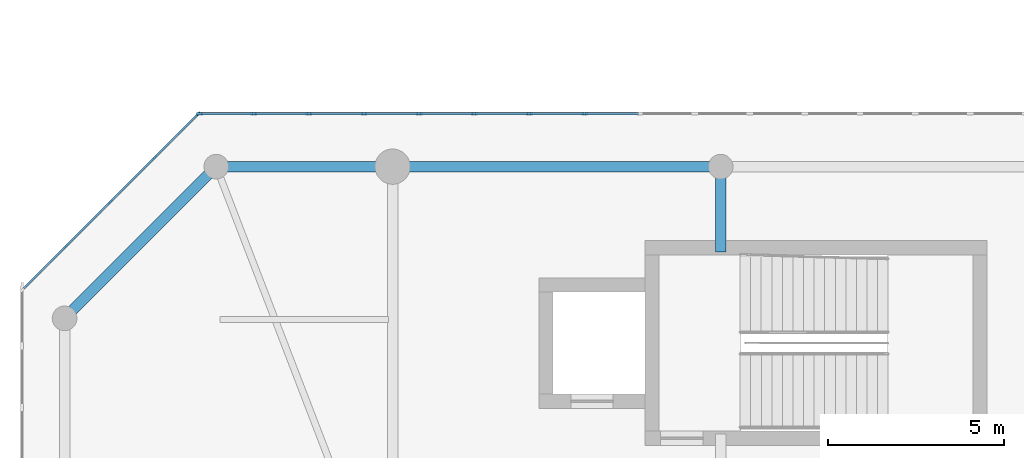
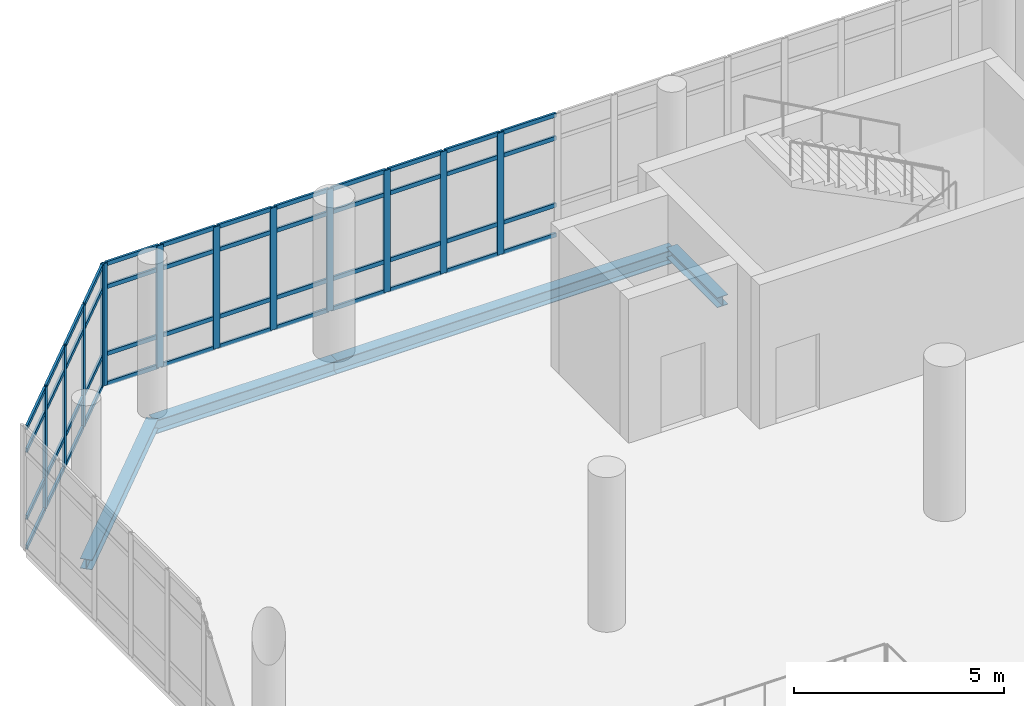
# One storey, part 52 of 125: 60 members, 4 beams, 2 elements without a shape of their own.
"""IFC4 building model written with IfcOpenShell, lengths in metres."""

from ifc_helpers import new_model, si_unit, direction, frame, origin, origin_2d, place, context, subcontext, project, spatial, rectangle, i_section, extrude, material, layer, layer_set, material_profile, profile_set, type_object, element, aggregate, save


model = new_model("IFC4")

# Units and contexts
model_context = context("Model", 3, precision=1e-05, world=origin(), true_north=direction((0.0, 1.0)))
body_context = subcontext(model_context, "Body", "Model", "MODEL_VIEW")
ifc_project = project(units=[si_unit("LENGTHUNIT", "METRE"), si_unit("AREAUNIT", "SQUARE_METRE"), si_unit("VOLUMEUNIT", "CUBIC_METRE"), si_unit("PLANEANGLEUNIT", "RADIAN"), si_unit("MASSUNIT", "GRAM", prefix="KILO")], contexts=[model_context])

# Site, building, storey
site_placement = place(None, origin())
site = spatial("IfcSite", under=ifc_project, at=site_placement, CompositionType="ELEMENT")
building_placement = place(site_placement, origin())
building = spatial("IfcBuilding", under=site, at=building_placement, Name="Sohan Crest Arena", CompositionType="ELEMENT")
storey_placement = place(building_placement, frame((0.0, 0.0, 9.0)))
storey = spatial("IfcBuildingStorey", under=building, at=storey_placement, Name="L02", CompositionType="ELEMENT", Elevation=9.0)

# Curtain wall, members
ifc_material_1 = material(Name="Thermally broken anodised aluminium", Category="aluminium")
ifc_layer = layer(ifc_material_1, 0.199951171875, Name="Thermally broken anodised aluminium")
ifc_layer_set = layer_set([ifc_layer], Name="Thermally broken anodised aluminium")
curtain_wall_type = type_object("IfcCurtainWallType", Name="ARC-CW02", PredefinedType="NOTDEFINED", material=ifc_layer_set)
curtain_wall_1_placement = place(storey_placement, origin())
curtain_wall_1 = element("IfcCurtainWall", 1, at=curtain_wall_1_placement, inside=storey, type_object=curtain_wall_type, Name="Unitised curtain wall CW-214", PredefinedType="NOTDEFINED")
ifc_material_profile_1 = material_profile(ifc_material_1, rectangle(XDim=0.06494140625, YDim=0.179931640625, at=origin_2d()), Name="ALU-MULL 65x180")
ifc_profile_set_1 = profile_set([ifc_material_profile_1], Name="Thermally broken anodised aluminium")
member_type_1 = type_object("IfcMemberType", Name="ARC-CW-ML02", PredefinedType="MULLION", material=ifc_profile_set_1)
member_1_placement = place(storey_placement, frame((29.9375, 106.0, 0.0), z_axis=(0.0, 0.0, 1.0), x_axis=(0.0, -1.0, 0.0)))
member_1 = element("IfcMember", 2, at=member_1_placement, type_object=member_type_1, Name="CW-214 mullion 10", PredefinedType="MULLION", context=body_context, shape_type="SweptSolid", body=[
    extrude(rectangle(XDim=0.06494140625, YDim=0.179931640625, at=origin_2d()), origin(), (0.0, 0.0, 1.0), 3.550048828125),
])
member_2_placement = place(storey_placement, frame((28.375, 106.0, 0.0), z_axis=(0.0, 0.0, 1.0), x_axis=(0.0, -1.0, 0.0)))
member_2 = element("IfcMember", 3, at=member_2_placement, type_object=member_type_1, Name="CW-214 mullion 11", PredefinedType="MULLION", context=body_context, shape_type="SweptSolid", body=[
    extrude(rectangle(XDim=0.06494140625, YDim=0.179931640625, at=origin_2d()), origin(), (0.0, 0.0, 1.0), 3.550048828125),
])
member_3_placement = place(storey_placement, frame((26.8125, 106.0, 0.0), z_axis=(0.0, 0.0, 1.0), x_axis=(0.0, -1.0, 0.0)))
member_3 = element("IfcMember", 4, at=member_3_placement, type_object=member_type_1, Name="CW-214 mullion 12", PredefinedType="MULLION", context=body_context, shape_type="SweptSolid", body=[
    extrude(rectangle(XDim=0.06494140625, YDim=0.179931640625, at=origin_2d()), origin(), (0.0, 0.0, 1.0), 3.550048828125),
])
member_4_placement = place(storey_placement, frame((25.25, 106.0, 0.0), z_axis=(0.0, 0.0, 1.0), x_axis=(0.0, -1.0, 0.0)))
member_4 = element("IfcMember", 5, at=member_4_placement, type_object=member_type_1, Name="CW-214 mullion 13", PredefinedType="MULLION", context=body_context, shape_type="SweptSolid", body=[
    extrude(rectangle(XDim=0.06494140625, YDim=0.179931640625, at=origin_2d()), origin(), (0.0, 0.0, 1.0), 3.550048828125),
])
member_5_placement = place(storey_placement, frame((23.6875, 106.0, 0.0), z_axis=(0.0, 0.0, 1.0), x_axis=(0.0, -1.0, 0.0)))
member_5 = element("IfcMember", 6, at=member_5_placement, type_object=member_type_1, Name="CW-214 mullion 14", PredefinedType="MULLION", context=body_context, shape_type="SweptSolid", body=[
    extrude(rectangle(XDim=0.06494140625, YDim=0.179931640625, at=origin_2d()), origin(), (0.0, 0.0, 1.0), 3.550048828125),
])
member_6_placement = place(storey_placement, frame((22.125, 106.0, 0.0), z_axis=(0.0, 0.0, 1.0), x_axis=(0.0, -1.0, 0.0)))
member_6 = element("IfcMember", 7, at=member_6_placement, type_object=member_type_1, Name="CW-214 mullion 15", PredefinedType="MULLION", context=body_context, shape_type="SweptSolid", body=[
    extrude(rectangle(XDim=0.06494140625, YDim=0.179931640625, at=origin_2d()), origin(), (0.0, 0.0, 1.0), 3.550048828125),
])
member_7_placement = place(storey_placement, frame((20.5625, 106.0, 0.0), z_axis=(0.0, 0.0, 1.0), x_axis=(0.0, -1.0, 0.0)))
member_7 = element("IfcMember", 8, at=member_7_placement, type_object=member_type_1, Name="CW-214 mullion 16", PredefinedType="MULLION", context=body_context, shape_type="SweptSolid", body=[
    extrude(rectangle(XDim=0.06494140625, YDim=0.179931640625, at=origin_2d()), origin(), (0.0, 0.0, 1.0), 3.550048828125),
])
member_8_placement = place(storey_placement, frame((19.032470703125, 106.0, 0.0), z_axis=(0.0, 0.0, 1.0), x_axis=(0.0, -1.0, 0.0)))
member_8 = element("IfcMember", 9, at=member_8_placement, type_object=member_type_1, Name="CW-214 mullion 17", PredefinedType="MULLION", context=body_context, shape_type="SweptSolid", body=[
    extrude(rectangle(XDim=0.06494140625, YDim=0.179931640625, at=origin_2d()), origin(), (0.0, 0.0, 1.0), 3.550048828125),
])

curtain_wall_2_placement = place(storey_placement, origin())
curtain_wall_2 = element("IfcCurtainWall", 10, at=curtain_wall_2_placement, inside=storey, type_object=curtain_wall_type, Name="Unitised curtain wall CW-215", PredefinedType="NOTDEFINED")
member_9_placement = place(storey_placement, frame((18.97705078125, 105.97705078125, 0.0), z_axis=(0.0, 0.0, 1.0), x_axis=(0.707106781187, -0.707106781187, 0.0)))
member_9 = element("IfcMember", 11, at=member_9_placement, type_object=member_type_1, Name="CW-215 mullion 1", PredefinedType="MULLION", context=body_context, shape_type="SweptSolid", body=[
    extrude(rectangle(XDim=0.06494140625, YDim=0.179931640625, at=origin_2d()), origin(), (0.0, 0.0, 1.0), 3.550048828125),
])
member_10_placement = place(storey_placement, frame((17.75, 104.75, 0.0), z_axis=(0.0, 0.0, 1.0), x_axis=(0.707106781187, -0.707106781187, 0.0)))
member_10 = element("IfcMember", 12, at=member_10_placement, type_object=member_type_1, Name="CW-215 mullion 2", PredefinedType="MULLION", context=body_context, shape_type="SweptSolid", body=[
    extrude(rectangle(XDim=0.06494140625, YDim=0.179931640625, at=origin_2d()), origin(), (0.0, 0.0, 1.0), 3.550048828125),
])
member_11_placement = place(storey_placement, frame((16.5, 103.5, 0.0), z_axis=(0.0, 0.0, 1.0), x_axis=(0.707106781187, -0.707106781187, 0.0)))
member_11 = element("IfcMember", 13, at=member_11_placement, type_object=member_type_1, Name="CW-215 mullion 3", PredefinedType="MULLION", context=body_context, shape_type="SweptSolid", body=[
    extrude(rectangle(XDim=0.06494140625, YDim=0.179931640625, at=origin_2d()), origin(), (0.0, 0.0, 1.0), 3.550048828125),
])
member_12_placement = place(storey_placement, frame((15.25, 102.25, 0.0), z_axis=(0.0, 0.0, 1.0), x_axis=(0.707106781187, -0.707106781187, 0.0)))
member_12 = element("IfcMember", 14, at=member_12_placement, type_object=member_type_1, Name="CW-215 mullion 4", PredefinedType="MULLION", context=body_context, shape_type="SweptSolid", body=[
    extrude(rectangle(XDim=0.06494140625, YDim=0.179931640625, at=origin_2d()), origin(), (0.0, 0.0, 1.0), 3.550048828125),
])

# Member
ifc_material_profile_2 = material_profile(ifc_material_1, rectangle(XDim=0.06005859375, YDim=0.1201171875, at=origin_2d()), Name="ALU-TRAN 60x120")
ifc_profile_set_2 = profile_set([ifc_material_profile_2], Name="Thermally broken anodised aluminium")
member_type_2 = type_object("IfcMemberType", Name="ARC-CW-TR01", PredefinedType="USERDEFINED", material=ifc_profile_set_2)
member_13_placement = place(storey_placement, frame((31.467529296875, 106.0, 0.030029296875), z_axis=(-1.0, 0.0, 0.0), x_axis=(0.0, -1.0, 0.0)))
member_13 = element("IfcMember", 15, at=member_13_placement, type_object=member_type_2, Name="CW-214 transom 9.1", ObjectType="TRANSOM", PredefinedType="USERDEFINED", context=body_context, shape_type="SweptSolid", body=[
    extrude(rectangle(XDim=0.06005859375, YDim=0.1201171875, at=origin_2d()), origin(), (0.0, 0.0, 1.0), 1.49755859375),
])

member_14_placement = place(storey_placement, frame((31.467529296875, 106.0, 0.89990234375), z_axis=(-1.0, 0.0, 0.0), x_axis=(0.0, -1.0, 0.0)))
member_14 = element("IfcMember", 16, at=member_14_placement, type_object=member_type_2, Name="CW-214 transom 9.2", ObjectType="TRANSOM", PredefinedType="USERDEFINED", context=body_context, shape_type="SweptSolid", body=[
    extrude(rectangle(XDim=0.06005859375, YDim=0.1201171875, at=origin_2d()), origin(), (0.0, 0.0, 1.0), 1.49755859375),
])

member_15_placement = place(storey_placement, frame((31.467529296875, 106.0, 2.85009765625), z_axis=(-1.0, 0.0, 0.0), x_axis=(0.0, -1.0, 0.0)))
member_15 = element("IfcMember", 17, at=member_15_placement, type_object=member_type_2, Name="CW-214 transom 9.3", ObjectType="TRANSOM", PredefinedType="USERDEFINED", context=body_context, shape_type="SweptSolid", body=[
    extrude(rectangle(XDim=0.06005859375, YDim=0.1201171875, at=origin_2d()), origin(), (0.0, 0.0, 1.0), 1.49755859375),
])

member_16_placement = place(storey_placement, frame((31.467529296875, 106.0, 3.52001953125), z_axis=(-1.0, 0.0, 0.0), x_axis=(0.0, -1.0, 0.0)))
member_16 = element("IfcMember", 18, at=member_16_placement, type_object=member_type_2, Name="CW-214 transom 9.4", ObjectType="TRANSOM", PredefinedType="USERDEFINED", context=body_context, shape_type="SweptSolid", body=[
    extrude(rectangle(XDim=0.06005859375, YDim=0.1201171875, at=origin_2d()), origin(), (0.0, 0.0, 1.0), 1.49755859375),
])

member_17_placement = place(storey_placement, frame((29.905029296875, 106.0, 0.030029296875), z_axis=(-1.0, 0.0, 0.0), x_axis=(0.0, -1.0, 0.0)))
member_17 = element("IfcMember", 19, at=member_17_placement, type_object=member_type_2, Name="CW-214 transom 10.1", ObjectType="TRANSOM", PredefinedType="USERDEFINED", context=body_context, shape_type="SweptSolid", body=[
    extrude(rectangle(XDim=0.06005859375, YDim=0.1201171875, at=origin_2d()), origin(), (0.0, 0.0, 1.0), 1.49755859375),
])

member_18_placement = place(storey_placement, frame((29.905029296875, 106.0, 0.89990234375), z_axis=(-1.0, 0.0, 0.0), x_axis=(0.0, -1.0, 0.0)))
member_18 = element("IfcMember", 20, at=member_18_placement, type_object=member_type_2, Name="CW-214 transom 10.2", ObjectType="TRANSOM", PredefinedType="USERDEFINED", context=body_context, shape_type="SweptSolid", body=[
    extrude(rectangle(XDim=0.06005859375, YDim=0.1201171875, at=origin_2d()), origin(), (0.0, 0.0, 1.0), 1.49755859375),
])

member_19_placement = place(storey_placement, frame((29.905029296875, 106.0, 2.85009765625), z_axis=(-1.0, 0.0, 0.0), x_axis=(0.0, -1.0, 0.0)))
member_19 = element("IfcMember", 21, at=member_19_placement, type_object=member_type_2, Name="CW-214 transom 10.3", ObjectType="TRANSOM", PredefinedType="USERDEFINED", context=body_context, shape_type="SweptSolid", body=[
    extrude(rectangle(XDim=0.06005859375, YDim=0.1201171875, at=origin_2d()), origin(), (0.0, 0.0, 1.0), 1.49755859375),
])

member_20_placement = place(storey_placement, frame((29.905029296875, 106.0, 3.52001953125), z_axis=(-1.0, 0.0, 0.0), x_axis=(0.0, -1.0, 0.0)))
member_20 = element("IfcMember", 22, at=member_20_placement, type_object=member_type_2, Name="CW-214 transom 10.4", ObjectType="TRANSOM", PredefinedType="USERDEFINED", context=body_context, shape_type="SweptSolid", body=[
    extrude(rectangle(XDim=0.06005859375, YDim=0.1201171875, at=origin_2d()), origin(), (0.0, 0.0, 1.0), 1.49755859375),
])

member_21_placement = place(storey_placement, frame((28.342529296875, 106.0, 0.030029296875), z_axis=(-1.0, 0.0, 0.0), x_axis=(0.0, -1.0, 0.0)))
member_21 = element("IfcMember", 23, at=member_21_placement, type_object=member_type_2, Name="CW-214 transom 11.1", ObjectType="TRANSOM", PredefinedType="USERDEFINED", context=body_context, shape_type="SweptSolid", body=[
    extrude(rectangle(XDim=0.06005859375, YDim=0.1201171875, at=origin_2d()), origin(), (0.0, 0.0, 1.0), 1.49755859375),
])

member_22_placement = place(storey_placement, frame((28.342529296875, 106.0, 0.89990234375), z_axis=(-1.0, 0.0, 0.0), x_axis=(0.0, -1.0, 0.0)))
member_22 = element("IfcMember", 24, at=member_22_placement, type_object=member_type_2, Name="CW-214 transom 11.2", ObjectType="TRANSOM", PredefinedType="USERDEFINED", context=body_context, shape_type="SweptSolid", body=[
    extrude(rectangle(XDim=0.06005859375, YDim=0.1201171875, at=origin_2d()), origin(), (0.0, 0.0, 1.0), 1.49755859375),
])

member_23_placement = place(storey_placement, frame((28.342529296875, 106.0, 2.85009765625), z_axis=(-1.0, 0.0, 0.0), x_axis=(0.0, -1.0, 0.0)))
member_23 = element("IfcMember", 25, at=member_23_placement, type_object=member_type_2, Name="CW-214 transom 11.3", ObjectType="TRANSOM", PredefinedType="USERDEFINED", context=body_context, shape_type="SweptSolid", body=[
    extrude(rectangle(XDim=0.06005859375, YDim=0.1201171875, at=origin_2d()), origin(), (0.0, 0.0, 1.0), 1.49755859375),
])

member_24_placement = place(storey_placement, frame((28.342529296875, 106.0, 3.52001953125), z_axis=(-1.0, 0.0, 0.0), x_axis=(0.0, -1.0, 0.0)))
member_24 = element("IfcMember", 26, at=member_24_placement, type_object=member_type_2, Name="CW-214 transom 11.4", ObjectType="TRANSOM", PredefinedType="USERDEFINED", context=body_context, shape_type="SweptSolid", body=[
    extrude(rectangle(XDim=0.06005859375, YDim=0.1201171875, at=origin_2d()), origin(), (0.0, 0.0, 1.0), 1.49755859375),
])

member_25_placement = place(storey_placement, frame((26.780029296875, 106.0, 0.030029296875), z_axis=(-1.0, 0.0, 0.0), x_axis=(0.0, -1.0, 0.0)))
member_25 = element("IfcMember", 27, at=member_25_placement, type_object=member_type_2, Name="CW-214 transom 12.1", ObjectType="TRANSOM", PredefinedType="USERDEFINED", context=body_context, shape_type="SweptSolid", body=[
    extrude(rectangle(XDim=0.06005859375, YDim=0.1201171875, at=origin_2d()), origin(), (0.0, 0.0, 1.0), 1.49755859375),
])

member_26_placement = place(storey_placement, frame((26.780029296875, 106.0, 0.89990234375), z_axis=(-1.0, 0.0, 0.0), x_axis=(0.0, -1.0, 0.0)))
member_26 = element("IfcMember", 28, at=member_26_placement, type_object=member_type_2, Name="CW-214 transom 12.2", ObjectType="TRANSOM", PredefinedType="USERDEFINED", context=body_context, shape_type="SweptSolid", body=[
    extrude(rectangle(XDim=0.06005859375, YDim=0.1201171875, at=origin_2d()), origin(), (0.0, 0.0, 1.0), 1.49755859375),
])

member_27_placement = place(storey_placement, frame((26.780029296875, 106.0, 2.85009765625), z_axis=(-1.0, 0.0, 0.0), x_axis=(0.0, -1.0, 0.0)))
member_27 = element("IfcMember", 29, at=member_27_placement, type_object=member_type_2, Name="CW-214 transom 12.3", ObjectType="TRANSOM", PredefinedType="USERDEFINED", context=body_context, shape_type="SweptSolid", body=[
    extrude(rectangle(XDim=0.06005859375, YDim=0.1201171875, at=origin_2d()), origin(), (0.0, 0.0, 1.0), 1.49755859375),
])

member_28_placement = place(storey_placement, frame((26.780029296875, 106.0, 3.52001953125), z_axis=(-1.0, 0.0, 0.0), x_axis=(0.0, -1.0, 0.0)))
member_28 = element("IfcMember", 30, at=member_28_placement, type_object=member_type_2, Name="CW-214 transom 12.4", ObjectType="TRANSOM", PredefinedType="USERDEFINED", context=body_context, shape_type="SweptSolid", body=[
    extrude(rectangle(XDim=0.06005859375, YDim=0.1201171875, at=origin_2d()), origin(), (0.0, 0.0, 1.0), 1.49755859375),
])

member_29_placement = place(storey_placement, frame((25.217529296875, 106.0, 0.030029296875), z_axis=(-1.0, 0.0, 0.0), x_axis=(0.0, -1.0, 0.0)))
member_29 = element("IfcMember", 31, at=member_29_placement, type_object=member_type_2, Name="CW-214 transom 13.1", ObjectType="TRANSOM", PredefinedType="USERDEFINED", context=body_context, shape_type="SweptSolid", body=[
    extrude(rectangle(XDim=0.06005859375, YDim=0.1201171875, at=origin_2d()), origin(), (0.0, 0.0, 1.0), 1.49755859375),
])

member_30_placement = place(storey_placement, frame((25.217529296875, 106.0, 0.89990234375), z_axis=(-1.0, 0.0, 0.0), x_axis=(0.0, -1.0, 0.0)))
member_30 = element("IfcMember", 32, at=member_30_placement, type_object=member_type_2, Name="CW-214 transom 13.2", ObjectType="TRANSOM", PredefinedType="USERDEFINED", context=body_context, shape_type="SweptSolid", body=[
    extrude(rectangle(XDim=0.06005859375, YDim=0.1201171875, at=origin_2d()), origin(), (0.0, 0.0, 1.0), 1.49755859375),
])

member_31_placement = place(storey_placement, frame((25.217529296875, 106.0, 2.85009765625), z_axis=(-1.0, 0.0, 0.0), x_axis=(0.0, -1.0, 0.0)))
member_31 = element("IfcMember", 33, at=member_31_placement, type_object=member_type_2, Name="CW-214 transom 13.3", ObjectType="TRANSOM", PredefinedType="USERDEFINED", context=body_context, shape_type="SweptSolid", body=[
    extrude(rectangle(XDim=0.06005859375, YDim=0.1201171875, at=origin_2d()), origin(), (0.0, 0.0, 1.0), 1.49755859375),
])

member_32_placement = place(storey_placement, frame((25.217529296875, 106.0, 3.52001953125), z_axis=(-1.0, 0.0, 0.0), x_axis=(0.0, -1.0, 0.0)))
member_32 = element("IfcMember", 34, at=member_32_placement, type_object=member_type_2, Name="CW-214 transom 13.4", ObjectType="TRANSOM", PredefinedType="USERDEFINED", context=body_context, shape_type="SweptSolid", body=[
    extrude(rectangle(XDim=0.06005859375, YDim=0.1201171875, at=origin_2d()), origin(), (0.0, 0.0, 1.0), 1.49755859375),
])

member_33_placement = place(storey_placement, frame((23.655029296875, 106.0, 0.030029296875), z_axis=(-1.0, 0.0, 0.0), x_axis=(0.0, -1.0, 0.0)))
member_33 = element("IfcMember", 35, at=member_33_placement, type_object=member_type_2, Name="CW-214 transom 14.1", ObjectType="TRANSOM", PredefinedType="USERDEFINED", context=body_context, shape_type="SweptSolid", body=[
    extrude(rectangle(XDim=0.06005859375, YDim=0.1201171875, at=origin_2d()), origin(), (0.0, 0.0, 1.0), 1.49755859375),
])

member_34_placement = place(storey_placement, frame((23.655029296875, 106.0, 0.89990234375), z_axis=(-1.0, 0.0, 0.0), x_axis=(0.0, -1.0, 0.0)))
member_34 = element("IfcMember", 36, at=member_34_placement, type_object=member_type_2, Name="CW-214 transom 14.2", ObjectType="TRANSOM", PredefinedType="USERDEFINED", context=body_context, shape_type="SweptSolid", body=[
    extrude(rectangle(XDim=0.06005859375, YDim=0.1201171875, at=origin_2d()), origin(), (0.0, 0.0, 1.0), 1.49755859375),
])

member_35_placement = place(storey_placement, frame((23.655029296875, 106.0, 2.85009765625), z_axis=(-1.0, 0.0, 0.0), x_axis=(0.0, -1.0, 0.0)))
member_35 = element("IfcMember", 37, at=member_35_placement, type_object=member_type_2, Name="CW-214 transom 14.3", ObjectType="TRANSOM", PredefinedType="USERDEFINED", context=body_context, shape_type="SweptSolid", body=[
    extrude(rectangle(XDim=0.06005859375, YDim=0.1201171875, at=origin_2d()), origin(), (0.0, 0.0, 1.0), 1.49755859375),
])

member_36_placement = place(storey_placement, frame((23.655029296875, 106.0, 3.52001953125), z_axis=(-1.0, 0.0, 0.0), x_axis=(0.0, -1.0, 0.0)))
member_36 = element("IfcMember", 38, at=member_36_placement, type_object=member_type_2, Name="CW-214 transom 14.4", ObjectType="TRANSOM", PredefinedType="USERDEFINED", context=body_context, shape_type="SweptSolid", body=[
    extrude(rectangle(XDim=0.06005859375, YDim=0.1201171875, at=origin_2d()), origin(), (0.0, 0.0, 1.0), 1.49755859375),
])

member_37_placement = place(storey_placement, frame((22.092529296875, 106.0, 0.030029296875), z_axis=(-1.0, 0.0, 0.0), x_axis=(0.0, -1.0, 0.0)))
member_37 = element("IfcMember", 39, at=member_37_placement, type_object=member_type_2, Name="CW-214 transom 15.1", ObjectType="TRANSOM", PredefinedType="USERDEFINED", context=body_context, shape_type="SweptSolid", body=[
    extrude(rectangle(XDim=0.06005859375, YDim=0.1201171875, at=origin_2d()), origin(), (0.0, 0.0, 1.0), 1.49755859375),
])

member_38_placement = place(storey_placement, frame((22.092529296875, 106.0, 0.89990234375), z_axis=(-1.0, 0.0, 0.0), x_axis=(0.0, -1.0, 0.0)))
member_38 = element("IfcMember", 40, at=member_38_placement, type_object=member_type_2, Name="CW-214 transom 15.2", ObjectType="TRANSOM", PredefinedType="USERDEFINED", context=body_context, shape_type="SweptSolid", body=[
    extrude(rectangle(XDim=0.06005859375, YDim=0.1201171875, at=origin_2d()), origin(), (0.0, 0.0, 1.0), 1.49755859375),
])

member_39_placement = place(storey_placement, frame((22.092529296875, 106.0, 2.85009765625), z_axis=(-1.0, 0.0, 0.0), x_axis=(0.0, -1.0, 0.0)))
member_39 = element("IfcMember", 41, at=member_39_placement, type_object=member_type_2, Name="CW-214 transom 15.3", ObjectType="TRANSOM", PredefinedType="USERDEFINED", context=body_context, shape_type="SweptSolid", body=[
    extrude(rectangle(XDim=0.06005859375, YDim=0.1201171875, at=origin_2d()), origin(), (0.0, 0.0, 1.0), 1.49755859375),
])

member_40_placement = place(storey_placement, frame((22.092529296875, 106.0, 3.52001953125), z_axis=(-1.0, 0.0, 0.0), x_axis=(0.0, -1.0, 0.0)))
member_40 = element("IfcMember", 42, at=member_40_placement, type_object=member_type_2, Name="CW-214 transom 15.4", ObjectType="TRANSOM", PredefinedType="USERDEFINED", context=body_context, shape_type="SweptSolid", body=[
    extrude(rectangle(XDim=0.06005859375, YDim=0.1201171875, at=origin_2d()), origin(), (0.0, 0.0, 1.0), 1.49755859375),
])

member_41_placement = place(storey_placement, frame((20.530029296875, 106.0, 0.030029296875), z_axis=(-1.0, 0.0, 0.0), x_axis=(0.0, -1.0, 0.0)))
member_41 = element("IfcMember", 43, at=member_41_placement, type_object=member_type_2, Name="CW-214 transom 16.1", ObjectType="TRANSOM", PredefinedType="USERDEFINED", context=body_context, shape_type="SweptSolid", body=[
    extrude(rectangle(XDim=0.06005859375, YDim=0.1201171875, at=origin_2d()), origin(), (0.0, 0.0, 1.0), 1.465087890625),
])

member_42_placement = place(storey_placement, frame((20.530029296875, 106.0, 0.89990234375), z_axis=(-1.0, 0.0, 0.0), x_axis=(0.0, -1.0, 0.0)))
member_42 = element("IfcMember", 44, at=member_42_placement, type_object=member_type_2, Name="CW-214 transom 16.2", ObjectType="TRANSOM", PredefinedType="USERDEFINED", context=body_context, shape_type="SweptSolid", body=[
    extrude(rectangle(XDim=0.06005859375, YDim=0.1201171875, at=origin_2d()), origin(), (0.0, 0.0, 1.0), 1.465087890625),
])

member_43_placement = place(storey_placement, frame((20.530029296875, 106.0, 2.85009765625), z_axis=(-1.0, 0.0, 0.0), x_axis=(0.0, -1.0, 0.0)))
member_43 = element("IfcMember", 45, at=member_43_placement, type_object=member_type_2, Name="CW-214 transom 16.3", ObjectType="TRANSOM", PredefinedType="USERDEFINED", context=body_context, shape_type="SweptSolid", body=[
    extrude(rectangle(XDim=0.06005859375, YDim=0.1201171875, at=origin_2d()), origin(), (0.0, 0.0, 1.0), 1.465087890625),
])

member_44_placement = place(storey_placement, frame((20.530029296875, 106.0, 3.52001953125), z_axis=(-1.0, 0.0, 0.0), x_axis=(0.0, -1.0, 0.0)))
member_44 = element("IfcMember", 46, at=member_44_placement, type_object=member_type_2, Name="CW-214 transom 16.4", ObjectType="TRANSOM", PredefinedType="USERDEFINED", context=body_context, shape_type="SweptSolid", body=[
    extrude(rectangle(XDim=0.06005859375, YDim=0.1201171875, at=origin_2d()), origin(), (0.0, 0.0, 1.0), 1.465087890625),
])

aggregate(curtain_wall_1, [member_1, member_2, member_3, member_4, member_5, member_6, member_7, member_8, member_13, member_14, member_15, member_16, member_17, member_18, member_19, member_20, member_21, member_22, member_23, member_24, member_25, member_26, member_27, member_28, member_29, member_30, member_31, member_32, member_33, member_34, member_35, member_36, member_37, member_38, member_39, member_40, member_41, member_42, member_43, member_44])

member_45_placement = place(storey_placement, frame((18.9541015625, 105.9541015625, 0.030029296875), z_axis=(-0.707106781187, -0.707106781187, 0.0), x_axis=(0.707106781187, -0.707106781187, 0.0)))
member_45 = element("IfcMember", 47, at=member_45_placement, type_object=member_type_2, Name="CW-215 transom 1.1", ObjectType="TRANSOM", PredefinedType="USERDEFINED", context=body_context, shape_type="SweptSolid", body=[
    extrude(rectangle(XDim=0.06005859375, YDim=0.1201171875, at=origin_2d()), origin(), (0.0, 0.0, 1.0), 1.67041015625),
])

member_46_placement = place(storey_placement, frame((18.9541015625, 105.9541015625, 0.89990234375), z_axis=(-0.707106781187, -0.707106781187, 0.0), x_axis=(0.707106781187, -0.707106781187, 0.0)))
member_46 = element("IfcMember", 48, at=member_46_placement, type_object=member_type_2, Name="CW-215 transom 1.2", ObjectType="TRANSOM", PredefinedType="USERDEFINED", context=body_context, shape_type="SweptSolid", body=[
    extrude(rectangle(XDim=0.06005859375, YDim=0.1201171875, at=origin_2d()), origin(), (0.0, 0.0, 1.0), 1.67041015625),
])

member_47_placement = place(storey_placement, frame((18.9541015625, 105.9541015625, 2.85009765625), z_axis=(-0.707106781187, -0.707106781187, 0.0), x_axis=(0.707106781187, -0.707106781187, 0.0)))
member_47 = element("IfcMember", 49, at=member_47_placement, type_object=member_type_2, Name="CW-215 transom 1.3", ObjectType="TRANSOM", PredefinedType="USERDEFINED", context=body_context, shape_type="SweptSolid", body=[
    extrude(rectangle(XDim=0.06005859375, YDim=0.1201171875, at=origin_2d()), origin(), (0.0, 0.0, 1.0), 1.67041015625),
])

member_48_placement = place(storey_placement, frame((18.9541015625, 105.9541015625, 3.52001953125), z_axis=(-0.707106781187, -0.707106781187, 0.0), x_axis=(0.707106781187, -0.707106781187, 0.0)))
member_48 = element("IfcMember", 50, at=member_48_placement, type_object=member_type_2, Name="CW-215 transom 1.4", ObjectType="TRANSOM", PredefinedType="USERDEFINED", context=body_context, shape_type="SweptSolid", body=[
    extrude(rectangle(XDim=0.06005859375, YDim=0.1201171875, at=origin_2d()), origin(), (0.0, 0.0, 1.0), 1.67041015625),
])

member_49_placement = place(storey_placement, frame((17.72705078125, 104.72705078125, 0.030029296875), z_axis=(-0.707106781187, -0.707106781187, 0.0), x_axis=(0.707106781187, -0.707106781187, 0.0)))
member_49 = element("IfcMember", 51, at=member_49_placement, type_object=member_type_2, Name="CW-215 transom 2.1", ObjectType="TRANSOM", PredefinedType="USERDEFINED", context=body_context, shape_type="SweptSolid", body=[
    extrude(rectangle(XDim=0.06005859375, YDim=0.1201171875, at=origin_2d()), origin(), (0.0, 0.0, 1.0), 1.702880859375),
])

member_50_placement = place(storey_placement, frame((17.72705078125, 104.72705078125, 0.89990234375), z_axis=(-0.707106781187, -0.707106781187, 0.0), x_axis=(0.707106781187, -0.707106781187, 0.0)))
member_50 = element("IfcMember", 52, at=member_50_placement, type_object=member_type_2, Name="CW-215 transom 2.2", ObjectType="TRANSOM", PredefinedType="USERDEFINED", context=body_context, shape_type="SweptSolid", body=[
    extrude(rectangle(XDim=0.06005859375, YDim=0.1201171875, at=origin_2d()), origin(), (0.0, 0.0, 1.0), 1.702880859375),
])

member_51_placement = place(storey_placement, frame((17.72705078125, 104.72705078125, 2.85009765625), z_axis=(-0.707106781187, -0.707106781187, 0.0), x_axis=(0.707106781187, -0.707106781187, 0.0)))
member_51 = element("IfcMember", 53, at=member_51_placement, type_object=member_type_2, Name="CW-215 transom 2.3", ObjectType="TRANSOM", PredefinedType="USERDEFINED", context=body_context, shape_type="SweptSolid", body=[
    extrude(rectangle(XDim=0.06005859375, YDim=0.1201171875, at=origin_2d()), origin(), (0.0, 0.0, 1.0), 1.702880859375),
])

member_52_placement = place(storey_placement, frame((17.72705078125, 104.72705078125, 3.52001953125), z_axis=(-0.707106781187, -0.707106781187, 0.0), x_axis=(0.707106781187, -0.707106781187, 0.0)))
member_52 = element("IfcMember", 54, at=member_52_placement, type_object=member_type_2, Name="CW-215 transom 2.4", ObjectType="TRANSOM", PredefinedType="USERDEFINED", context=body_context, shape_type="SweptSolid", body=[
    extrude(rectangle(XDim=0.06005859375, YDim=0.1201171875, at=origin_2d()), origin(), (0.0, 0.0, 1.0), 1.702880859375),
])

member_53_placement = place(storey_placement, frame((16.47705078125, 103.47705078125, 0.030029296875), z_axis=(-0.707106781187, -0.707106781187, 0.0), x_axis=(0.707106781187, -0.707106781187, 0.0)))
member_53 = element("IfcMember", 55, at=member_53_placement, type_object=member_type_2, Name="CW-215 transom 3.1", ObjectType="TRANSOM", PredefinedType="USERDEFINED", context=body_context, shape_type="SweptSolid", body=[
    extrude(rectangle(XDim=0.06005859375, YDim=0.1201171875, at=origin_2d()), origin(), (0.0, 0.0, 1.0), 1.702880859375),
])

member_54_placement = place(storey_placement, frame((16.47705078125, 103.47705078125, 0.89990234375), z_axis=(-0.707106781187, -0.707106781187, 0.0), x_axis=(0.707106781187, -0.707106781187, 0.0)))
member_54 = element("IfcMember", 56, at=member_54_placement, type_object=member_type_2, Name="CW-215 transom 3.2", ObjectType="TRANSOM", PredefinedType="USERDEFINED", context=body_context, shape_type="SweptSolid", body=[
    extrude(rectangle(XDim=0.06005859375, YDim=0.1201171875, at=origin_2d()), origin(), (0.0, 0.0, 1.0), 1.702880859375),
])

member_55_placement = place(storey_placement, frame((16.47705078125, 103.47705078125, 2.85009765625), z_axis=(-0.707106781187, -0.707106781187, 0.0), x_axis=(0.707106781187, -0.707106781187, 0.0)))
member_55 = element("IfcMember", 57, at=member_55_placement, type_object=member_type_2, Name="CW-215 transom 3.3", ObjectType="TRANSOM", PredefinedType="USERDEFINED", context=body_context, shape_type="SweptSolid", body=[
    extrude(rectangle(XDim=0.06005859375, YDim=0.1201171875, at=origin_2d()), origin(), (0.0, 0.0, 1.0), 1.702880859375),
])

member_56_placement = place(storey_placement, frame((16.47705078125, 103.47705078125, 3.52001953125), z_axis=(-0.707106781187, -0.707106781187, 0.0), x_axis=(0.707106781187, -0.707106781187, 0.0)))
member_56 = element("IfcMember", 58, at=member_56_placement, type_object=member_type_2, Name="CW-215 transom 3.4", ObjectType="TRANSOM", PredefinedType="USERDEFINED", context=body_context, shape_type="SweptSolid", body=[
    extrude(rectangle(XDim=0.06005859375, YDim=0.1201171875, at=origin_2d()), origin(), (0.0, 0.0, 1.0), 1.702880859375),
])

member_57_placement = place(storey_placement, frame((15.22705078125, 102.22705078125, 0.030029296875), z_axis=(-0.707106781187, -0.707106781187, 0.0), x_axis=(0.707106781187, -0.707106781187, 0.0)))
member_57 = element("IfcMember", 59, at=member_57_placement, type_object=member_type_2, Name="CW-215 transom 4.1", ObjectType="TRANSOM", PredefinedType="USERDEFINED", context=body_context, shape_type="SweptSolid", body=[
    extrude(rectangle(XDim=0.06005859375, YDim=0.1201171875, at=origin_2d()), origin(), (0.0, 0.0, 1.0), 1.67041015625),
])

member_58_placement = place(storey_placement, frame((15.22705078125, 102.22705078125, 0.89990234375), z_axis=(-0.707106781187, -0.707106781187, 0.0), x_axis=(0.707106781187, -0.707106781187, 0.0)))
member_58 = element("IfcMember", 60, at=member_58_placement, type_object=member_type_2, Name="CW-215 transom 4.2", ObjectType="TRANSOM", PredefinedType="USERDEFINED", context=body_context, shape_type="SweptSolid", body=[
    extrude(rectangle(XDim=0.06005859375, YDim=0.1201171875, at=origin_2d()), origin(), (0.0, 0.0, 1.0), 1.67041015625),
])

member_59_placement = place(storey_placement, frame((15.22705078125, 102.22705078125, 2.85009765625), z_axis=(-0.707106781187, -0.707106781187, 0.0), x_axis=(0.707106781187, -0.707106781187, 0.0)))
member_59 = element("IfcMember", 61, at=member_59_placement, type_object=member_type_2, Name="CW-215 transom 4.3", ObjectType="TRANSOM", PredefinedType="USERDEFINED", context=body_context, shape_type="SweptSolid", body=[
    extrude(rectangle(XDim=0.06005859375, YDim=0.1201171875, at=origin_2d()), origin(), (0.0, 0.0, 1.0), 1.67041015625),
])

member_60_placement = place(storey_placement, frame((15.22705078125, 102.22705078125, 3.52001953125), z_axis=(-0.707106781187, -0.707106781187, 0.0), x_axis=(0.707106781187, -0.707106781187, 0.0)))
member_60 = element("IfcMember", 62, at=member_60_placement, type_object=member_type_2, Name="CW-215 transom 4.4", ObjectType="TRANSOM", PredefinedType="USERDEFINED", context=body_context, shape_type="SweptSolid", body=[
    extrude(rectangle(XDim=0.06005859375, YDim=0.1201171875, at=origin_2d()), origin(), (0.0, 0.0, 1.0), 1.67041015625),
])

aggregate(curtain_wall_2, [member_9, member_10, member_11, member_12, member_45, member_46, member_47, member_48, member_49, member_50, member_51, member_52, member_53, member_54, member_55, member_56, member_57, member_58, member_59, member_60])

# Beams
ifc_material_2 = material(Name="Steel S355", Category="steel")
ifc_material_profile_3 = material_profile(ifc_material_2, i_section(OverallWidth=0.300048828125, OverallDepth=0.2900390625, WebThickness=0.008544921875, FlangeThickness=0.013916015625, at=origin_2d()), Name="HEA 300")
ifc_profile_set_3 = profile_set([ifc_material_profile_3], Name="Steel S355")
beam_type_1 = type_object("IfcBeamType", Name="STR-BM-B08", PredefinedType="BEAM", material=ifc_profile_set_3)
beam_1_placement = place(storey_placement, frame((33.800048828125, 102.080078125, -0.35498046875), z_axis=(0.0, 1.0, 0.0), x_axis=(-1.0, 0.0, 0.0)))
element("IfcBeam", 63, at=beam_1_placement, inside=storey, type_object=beam_type_1, Name="Structural beam G-L02-2047", PredefinedType="BEAM", context=body_context, shape_type="SweptSolid", body=[
    extrude(i_section(OverallWidth=0.300048828125, OverallDepth=0.2900390625, WebThickness=0.008544921875, FlangeThickness=0.013916015625, at=origin_2d()), origin(), (0.0, 0.0, 1.0), 2.419921875),
])
beam_2_placement = place(storey_placement, frame((15.199951171875, 100.199951171875, -0.35498046875), z_axis=(0.707106781187, 0.707106781187, 0.0), x_axis=(-0.707106781187, 0.707106781187, 0.0)))
element("IfcBeam", 64, at=beam_2_placement, inside=storey, type_object=beam_type_1, Name="Structural beam G-L02-2086", PredefinedType="BEAM", context=body_context, shape_type="SweptSolid", body=[
    extrude(i_section(OverallWidth=0.300048828125, OverallDepth=0.2900390625, WebThickness=0.008544921875, FlangeThickness=0.013916015625, at=origin_2d()), origin(), (0.0, 0.0, 1.0), 6.081298828125),
])
ifc_material_profile_4 = material_profile(ifc_material_2, i_section(OverallWidth=0.300048828125, OverallDepth=0.389892578125, WebThickness=0.010986328125, FlangeThickness=0.01904296875, at=origin_2d()), Name="HEA 400")
ifc_profile_set_4 = profile_set([ifc_material_profile_4], Name="Steel S355")
beam_type_2 = type_object("IfcBeamType", Name="STR-BM-B09", PredefinedType="BEAM", material=ifc_profile_set_4)
beam_3_placement = place(storey_placement, frame((19.5, 104.5, -0.405029296875), z_axis=(1.0, 0.0, 0.0), x_axis=(0.0, 1.0, 0.0)))
element("IfcBeam", 65, at=beam_3_placement, inside=storey, type_object=beam_type_2, Name="Structural beam G-L02-2082", PredefinedType="BEAM", context=body_context, shape_type="SweptSolid", body=[
    extrude(i_section(OverallWidth=0.300048828125, OverallDepth=0.389892578125, WebThickness=0.010986328125, FlangeThickness=0.01904296875, at=origin_2d()), origin(), (0.0, 0.0, 1.0), 5.0),
])
beam_4_placement = place(storey_placement, frame((24.5, 104.5, -0.405029296875), z_axis=(1.0, 0.0, 0.0), x_axis=(0.0, 1.0, 0.0)))
element("IfcBeam", 66, at=beam_4_placement, inside=storey, type_object=beam_type_2, Name="Structural beam G-L02-2083", PredefinedType="BEAM", context=body_context, shape_type="SweptSolid", body=[
    extrude(i_section(OverallWidth=0.300048828125, OverallDepth=0.389892578125, WebThickness=0.010986328125, FlangeThickness=0.01904296875, at=origin_2d()), origin(), (0.0, 0.0, 1.0), 9.300048828125),
])

save(model, "model.ifc")
